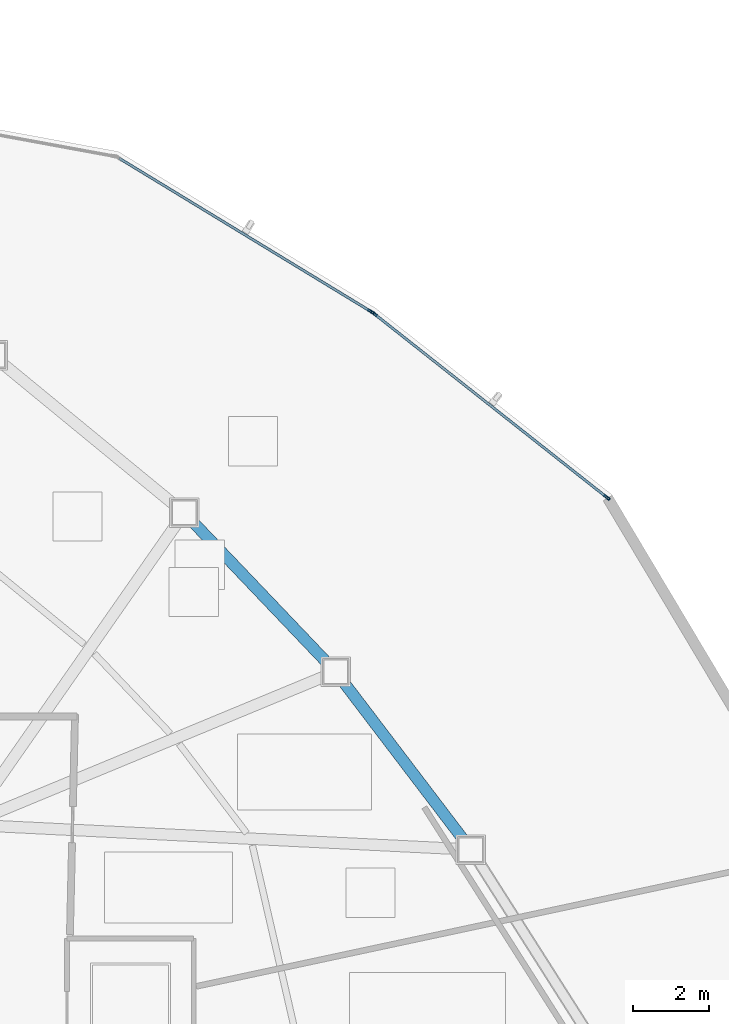
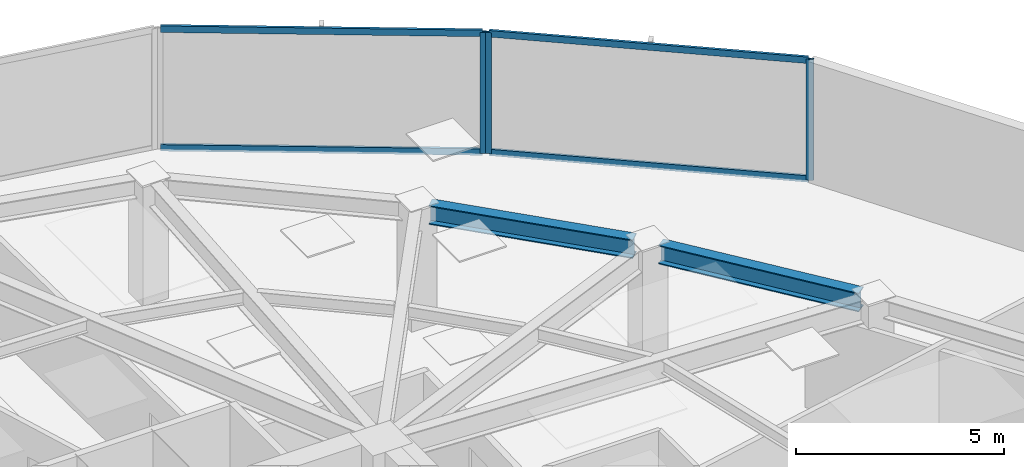
# One storey, part 9 of 16: 7 members, 2 beams, 2 elements without a shape of their own.
"""IFC4 building model written with IfcOpenShell, lengths in metres."""

from ifc_helpers import new_model, si_unit, direction, frame, origin, origin_2d, place, context, subcontext, project, spatial, hollow_rectangle, i_section, extrude, source, transform, mapped, material, layer, layer_set, material_profile, profile_set, type_object, type_shapes, element, aggregate, save


model = new_model("IFC4")

# Units and contexts
model_context = context("Model", 3, precision=1e-05, world=origin(), true_north=direction((0.0, 1.0)))
body_context = subcontext(model_context, "Body", "Model", "MODEL_VIEW")
ifc_project = project(units=[si_unit("LENGTHUNIT", "METRE"), si_unit("AREAUNIT", "SQUARE_METRE"), si_unit("VOLUMEUNIT", "CUBIC_METRE"), si_unit("PLANEANGLEUNIT", "RADIAN"), si_unit("MASSUNIT", "GRAM", prefix="KILO")], contexts=[model_context])

# Site, building, storey
site_placement = place(None, origin())
site = spatial("IfcSite", under=ifc_project, at=site_placement, CompositionType="ELEMENT")
building_placement = place(site_placement, origin())
building = spatial("IfcBuilding", under=site, at=building_placement, Name="Tavelor Broadcast Tower", CompositionType="ELEMENT")
storey_placement = place(building_placement, frame((0.0, 0.0, 138.699951171875)))
storey = spatial("IfcBuildingStorey", under=building, at=storey_placement, Name="L32", CompositionType="ELEMENT", Elevation=138.699951171875)

# Beams
ifc_material_1 = material(Name="Steel S355", Category="steel")
ifc_material_profile_1 = material_profile(ifc_material_1, i_section(OverallWidth=0.300048828125, OverallDepth=0.550048828125, WebThickness=0.014892578125, FlangeThickness=0.029052734375, at=origin_2d()), Name="HEB 550")
ifc_profile_set_1 = profile_set([ifc_material_profile_1], Name="Steel S355")
beam_type = type_object("IfcBeamType", Name="Perimeter Spandrel Beam T3 HEB 550", PredefinedType="SPANDREL", material=ifc_profile_set_1)
beam_1_placement = place(storey_placement, frame((69.6826171875, 50.8115234375, 3.275146484375), z_axis=(-0.605507005058, 0.795839975639, 0.0), x_axis=(-0.795839975639, -0.605507005058, 0.0)))
element("IfcBeam", 1, at=beam_1_placement, inside=storey, type_object=beam_type, Name="L32 Framed-Tube Ring Spandrel 14", PredefinedType="SPANDREL", context=body_context, shape_type="SweptSolid", body=[
    extrude(i_section(OverallWidth=0.300048828125, OverallDepth=0.550048828125, WebThickness=0.014892578125, FlangeThickness=0.029052734375, at=origin_2d()), origin(), (0.0, 0.0, 1.0), 5.214111328125),
])
beam_2_placement = place(storey_placement, frame((66.090087890625, 55.471923828125, 3.275146484375), z_axis=(-0.689928162502, 0.723877842309, 0.0), x_axis=(-0.723877842309, -0.689928162502, 0.0)))
element("IfcBeam", 2, at=beam_2_placement, inside=storey, type_object=beam_type, Name="L32 Framed-Tube Ring Spandrel 15", PredefinedType="SPANDREL", context=body_context, shape_type="SweptSolid", body=[
    extrude(i_section(OverallWidth=0.300048828125, OverallDepth=0.550048828125, WebThickness=0.014892578125, FlangeThickness=0.029052734375, at=origin_2d()), origin(), (0.0, 0.0, 1.0), 5.113037109375),
])

# Curtain wall, members
ifc_material_2 = material(Name="Architectural Anodized Aluminium", Category="aluminium")
ifc_layer = layer(ifc_material_2, 0.18994140625)
ifc_layer_set = layer_set([ifc_layer], Name="Architectural Anodized Aluminium")
curtain_wall_type = type_object("IfcCurtainWallType", Name="Tower Mid-Zone Acoustic Curtain Wall CW03", PredefinedType="NOTDEFINED", material=ifc_layer_set)
curtain_wall_1_placement = place(storey_placement, origin())
curtain_wall_1 = element("IfcCurtainWall", 3, at=curtain_wall_1_placement, inside=storey, type_object=curtain_wall_type, Name="L32 Curtain Wall CW03 Run 333", PredefinedType="NOTDEFINED")
ifc_material_profile_2 = material_profile(ifc_material_2, hollow_rectangle(XDim=0.068115234375, YDim=0.18994140625, WallThickness=0.02197265625, at=origin_2d()), Name="RHS 68x190x22")
ifc_profile_set_2 = profile_set([ifc_material_profile_2], Name="Architectural Anodized Aluminium")
member_type_1 = type_object("IfcMemberType", Name="CW03 Extruded Aluminium Mullion 68x190", PredefinedType="MULLION", material=ifc_profile_set_2)
shared_shape_1 = source(origin(), body_context, "Body", "SweptSolid", [
    extrude(hollow_rectangle(XDim=0.068115234375, YDim=0.18994140625, WallThickness=0.02197265625, at=origin_2d()), origin(), (0.0, 0.0, 1.0), 3.550048828125),
])
type_shapes(member_type_1, [shared_shape_1])
member_1_placement = place(storey_placement, frame((73.468017578125, 59.82568359375, 0.0), z_axis=(0.0, 0.0, 1.0), x_axis=(-0.619440773591, -0.785043392439, 0.0)))
member_1 = element("IfcMember", 4, at=member_1_placement, type_object=member_type_1, Name="CW03 mullion 1", PredefinedType="MULLION", context=body_context, shape_type="MappedRepresentation", body=[
    mapped(shared_shape_1, transform((0.0, 0.0, 0.0), scale=1.0)),
])
member_2_placement = place(storey_placement, frame((67.329833984375, 64.669189453125, 0.0), z_axis=(0.0, 0.0, 1.0), x_axis=(-0.619440773591, -0.785043392439, 0.0)))
member_2 = element("IfcMember", 5, at=member_2_placement, type_object=member_type_1, Name="CW03 mullion 2", PredefinedType="MULLION", context=body_context, shape_type="MappedRepresentation", body=[
    mapped(shared_shape_1, transform((0.0, 0.0, 0.0), scale=1.0)),
])

# Curtain wall, member
curtain_wall_2_placement = place(storey_placement, origin())
curtain_wall_2 = element("IfcCurtainWall", 6, at=curtain_wall_2_placement, inside=storey, type_object=curtain_wall_type, Name="L32 Curtain Wall CW03 Run 334", PredefinedType="NOTDEFINED")
member_3_placement = place(storey_placement, frame((67.24951171875, 64.72509765625, 0.0), z_axis=(0.0, 0.0, 1.0), x_axis=(-0.519890121736, -0.854233142252, 0.0)))
member_3 = element("IfcMember", 7, at=member_3_placement, type_object=member_type_1, Name="CW03 mullion 1", PredefinedType="MULLION", context=body_context, shape_type="MappedRepresentation", body=[
    mapped(shared_shape_1, transform((0.0, 0.0, 0.0), scale=1.0)),
])

# Member
ifc_material_profile_3 = material_profile(ifc_material_2, hollow_rectangle(XDim=0.068115234375, YDim=0.18994140625, WallThickness=0.02197265625, at=origin_2d()), Name="RHS 68x190x22")
ifc_profile_set_3 = profile_set([ifc_material_profile_3], Name="Architectural Anodized Aluminium")
member_type_2 = type_object("IfcMemberType", Name="CW03 Extruded Aluminium Transom 68x190", PredefinedType="USERDEFINED", material=ifc_profile_set_3)
shared_shape_2 = source(origin(), body_context, "Body", "SweptSolid", [
    extrude(hollow_rectangle(XDim=0.068115234375, YDim=0.18994140625, WallThickness=0.02197265625, at=origin_2d()), origin(), (0.0, 0.0, 1.0), 7.7509765625),
])
member_4_placement = place(storey_placement, frame((73.44140625, 59.846923828125, 0.033935546875), z_axis=(-0.785036739859, 0.619449204593, 0.0), x_axis=(-0.619449204593, -0.785036739859, 0.0)))
member_4 = element("IfcMember", 8, at=member_4_placement, type_object=member_type_2, Name="CW03 transom 1.1", ObjectType="TRANSOM", PredefinedType="USERDEFINED", context=body_context, shape_type="MappedRepresentation", body=[
    mapped(shared_shape_2, transform((0.0, 0.0, 0.0), scale=1.0)),
])

member_5_placement = place(storey_placement, frame((73.44140625, 59.846923828125, 3.51611328125), z_axis=(-0.785036739859, 0.619449204593, 0.0), x_axis=(-0.619449204593, -0.785036739859, 0.0)))
member_5 = element("IfcMember", 9, at=member_5_placement, type_object=member_type_2, Name="CW03 transom 1.2", ObjectType="TRANSOM", PredefinedType="USERDEFINED", context=body_context, shape_type="MappedRepresentation", body=[
    mapped(shared_shape_2, transform((0.0, 0.0, 0.0), scale=1.0)),
])

aggregate(curtain_wall_1, [member_1, member_2, member_4, member_5])

shared_shape_3 = source(origin(), body_context, "Body", "SweptSolid", [
    extrude(hollow_rectangle(XDim=0.068115234375, YDim=0.18994140625, WallThickness=0.02197265625, at=origin_2d()), origin(), (0.0, 0.0, 1.0), 7.73583984375),
])
type_shapes(member_type_2, [shared_shape_2, shared_shape_3])
member_6_placement = place(storey_placement, frame((67.220458984375, 64.74267578125, 0.033935546875), z_axis=(-0.854234510206, 0.519887874039, 0.0), x_axis=(-0.519887874039, -0.854234510206, 0.0)))
member_6 = element("IfcMember", 10, at=member_6_placement, type_object=member_type_2, Name="CW03 transom 1.1", ObjectType="TRANSOM", PredefinedType="USERDEFINED", context=body_context, shape_type="MappedRepresentation", body=[
    mapped(shared_shape_3, transform((0.0, 0.0, 0.0), scale=1.0)),
])

member_7_placement = place(storey_placement, frame((67.220458984375, 64.74267578125, 3.51611328125), z_axis=(-0.854234510206, 0.519887874039, 0.0), x_axis=(-0.519887874039, -0.854234510206, 0.0)))
member_7 = element("IfcMember", 11, at=member_7_placement, type_object=member_type_2, Name="CW03 transom 1.2", ObjectType="TRANSOM", PredefinedType="USERDEFINED", context=body_context, shape_type="MappedRepresentation", body=[
    mapped(shared_shape_3, transform((0.0, 0.0, 0.0), scale=1.0)),
])

aggregate(curtain_wall_2, [member_3, member_6, member_7])

save(model, "model.ifc")
